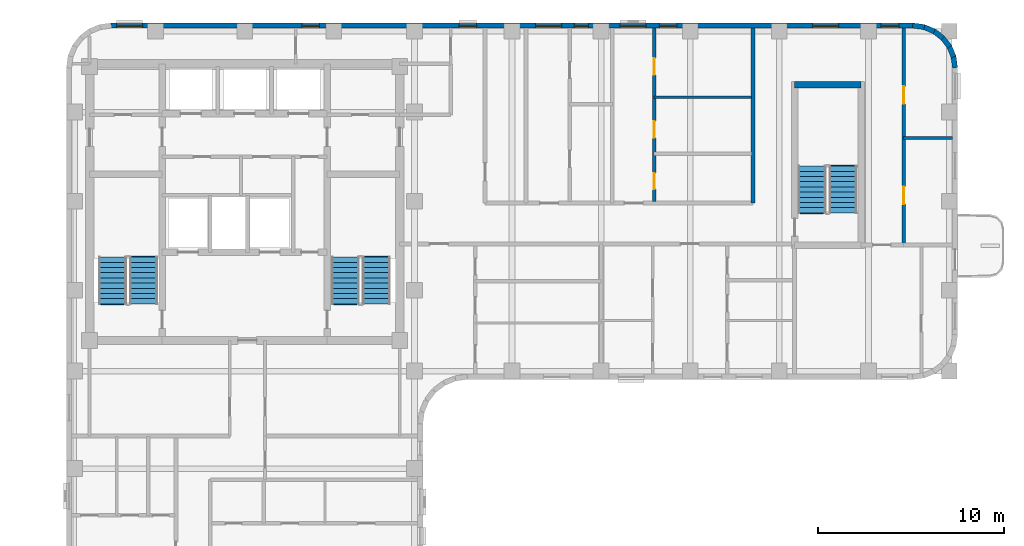
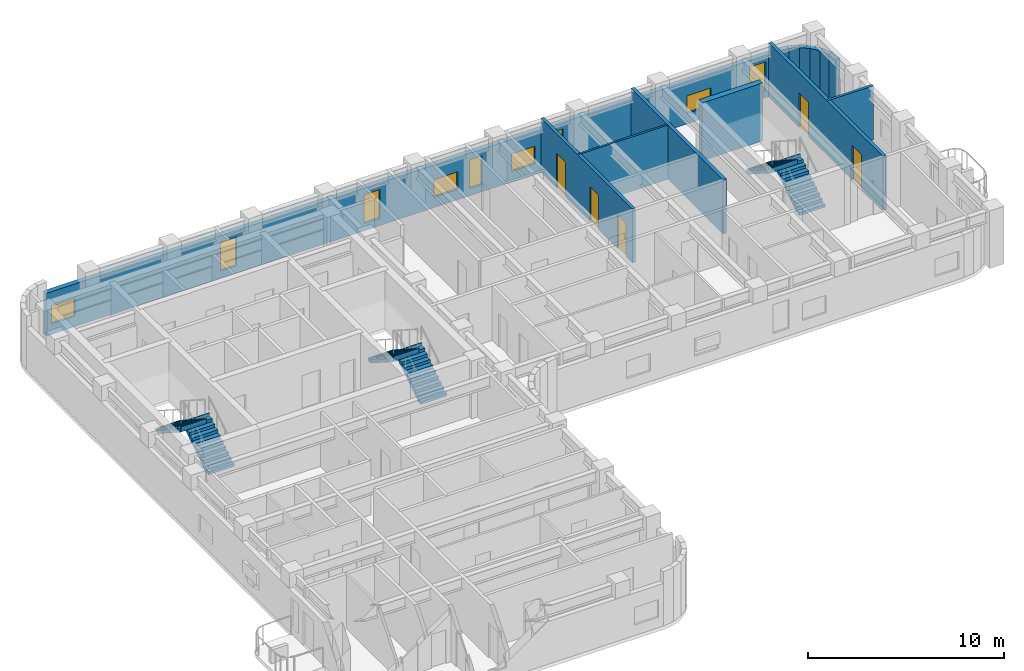
# One storey, part 7 of 10: 13 walls, 9 windows, 6 stair flights, 5 doors, 14 openings, 3 elements without a shape of their own.
"""IFC4 building model written with IfcOpenShell, lengths in metres."""

from ifc_helpers import new_model, si_unit, direction, frame, frame_2d, origin, place, context, subcontext, project, spatial, polyline, rectangle, outline, extrude, material, layer, layer_set, type_object, element, fill, aggregate, save


model = new_model("IFC4")

# Units and contexts
model_context = context("Model", 3, precision=1e-05, world=origin(), true_north=direction((0.0, 1.0)))
body_context = subcontext(model_context, "Body", "Model", "MODEL_VIEW")
ifc_project = project(units=[si_unit("LENGTHUNIT", "METRE"), si_unit("AREAUNIT", "SQUARE_METRE"), si_unit("VOLUMEUNIT", "CUBIC_METRE"), si_unit("PLANEANGLEUNIT", "RADIAN"), si_unit("MASSUNIT", "GRAM", prefix="KILO")], contexts=[model_context])

# Site, building, storey
site_placement = place(None, origin())
site = spatial("IfcSite", under=ifc_project, at=site_placement, CompositionType="ELEMENT")
building_placement = place(site_placement, origin())
building = spatial("IfcBuilding", under=site, at=building_placement, Name="Orvandelia Arch Residences", CompositionType="ELEMENT")
storey_placement = place(building_placement, frame((0.0, 0.0, 225.39990234375)))
storey = spatial("IfcBuildingStorey", under=building, at=storey_placement, Name="L59", CompositionType="ELEMENT", Elevation=225.39990234375)

# Walls
ifc_material_1 = material(Name="Concrete C50/60", Category="concrete")
ifc_layer_1 = layer(ifc_material_1, 0.35009765625, Name="Concrete C50/60", Category="concrete")
ifc_layer_set_1 = layer_set([ifc_layer_1], Name="Concrete C50/60")
wall_type_1 = type_object("IfcWallType", Name="WL-CORE-350", PredefinedType="SHEAR", material=ifc_layer_set_1)
wall_1_placement = place(storey_placement, frame((44.02001953125, 44.659912109375, 0.0), z_axis=(0.0, 0.0, 1.0), x_axis=(1.0, 0.0, 0.0)))
element("IfcWall", 1, at=wall_1_placement, inside=storey, type_object=wall_type_1, Name="East Stair Core Shear Wall L59-N", PredefinedType="SHEAR", context=body_context, shape_type="SweptSolid", body=[
    extrude(rectangle(XDim=3.580078125, YDim=0.35009765625, at=frame_2d((1.7900390625, 0.0))), origin(), (0.0, 0.0, 1.0), 3.60009765625),
])
ifc_material_2 = material(Name="Fire-Rated Corridor Partition")
ifc_layer_2 = layer(ifc_material_2, 0.199951171875, Name="Fire-Rated Corridor Partition")
ifc_layer_set_2 = layer_set([ifc_layer_2], Name="Fire-Rated Corridor Partition")
wall_type_2 = type_object("IfcWallType", Name="WL-CORR-200", PredefinedType="PARTITIONING", material=ifc_layer_set_2)
wall_2_placement = place(storey_placement, frame((41.780029296875, 38.300048828125, 0.0), z_axis=(0.0, 0.0, 1.0), x_axis=(0.0, 1.0, 0.0)))
element("IfcWall", 2, at=wall_2_placement, inside=storey, type_object=wall_type_2, Name="Interior Partition Wall WL-L59-ETV-W", PredefinedType="PARTITIONING", context=body_context, shape_type="SweptSolid", body=[
    extrude(rectangle(XDim=9.419921875, YDim=0.199951171875, at=frame_2d((4.7099609375, 0.0))), origin(), (0.0, 0.0, 1.0), 3.380126953125),
])

# Wall, openings, doors
wall_3_placement = place(storey_placement, frame((49.89990234375, 36.0400390625, 0.0), z_axis=(0.0, 0.0, 1.0), x_axis=(0.0, 1.0, 0.0)))
wall_3 = element("IfcWall", 3, at=wall_3_placement, inside=storey, type_object=wall_type_2, Name="Interior Partition Wall WL-L59-ETE-E", PredefinedType="PARTITIONING", context=body_context, shape_type="SweptSolid", body=[
    extrude(rectangle(XDim=11.679931640625, YDim=0.199951171875, at=frame_2d((5.83984375, 0.0))), origin(), (0.0, 0.0, 1.0), 3.380126953125),
])
opening_1_placement = place(wall_3_placement, frame((2.199951171875, 0.0, 0.0)))
opening_1 = element("IfcOpeningElement", 4, at=opening_1_placement, cuts=wall_3, Name="Opening D2", PredefinedType="OPENING", context=body_context, shape_type="SweptSolid", body=[
    extrude(rectangle(XDim=0.949951171875, YDim=2.14990234375, at=frame_2d((0.47509765625, 1.074951171875))), frame((0.0, 0.10986328125, 0.0), z_axis=(0.0, -1.0, 0.0), x_axis=(1.0, 0.0, 0.0)), (0.0, 0.0, 1.0), 0.219970703125),
])
opening_2_placement = place(wall_3_placement, frame((7.60009765625, 0.0, 0.0)))
opening_2 = element("IfcOpeningElement", 5, at=opening_2_placement, cuts=wall_3, Name="Opening D2", PredefinedType="OPENING", context=body_context, shape_type="SweptSolid", body=[
    extrude(rectangle(XDim=0.949951171875, YDim=2.14990234375, at=frame_2d((0.47509765625, 1.074951171875))), frame((0.0, 0.10986328125, 0.0), z_axis=(0.0, -1.0, 0.0), x_axis=(1.0, 0.0, 0.0)), (0.0, 0.0, 1.0), 0.219970703125),
])
ifc_material_3 = material(Name="Solid-Core Timber Interior Fire Door", Category="wood")
door_type_1 = type_object("IfcDoorType", Name="DR-APT-950", OperationType="NOTDEFINED", PredefinedType="DOOR", material=ifc_material_3)
door_1_placement = place(opening_1_placement, origin())
door_1 = element("IfcDoor", 6, at=door_1_placement, inside=storey, type_object=door_type_1, Name="DR-L59-EMTP1", OperationType="SINGLE_SWING_LEFT", OverallHeight=2.14990234375, OverallWidth=0.949951171875, PredefinedType="DOOR", context=body_context, shape_type="SweptSolid", body=[
    extrude(rectangle(XDim=0.949951171875, YDim=2.14990234375, at=frame_2d((0.47509765625, 1.074951171875))), frame((0.0, 0.02490234375, 0.0), z_axis=(0.0, -1.0, 0.0), x_axis=(1.0, 0.0, 0.0)), (0.0, 0.0, 1.0), 0.050048828125),
])
fill(opening_1, door_1)
door_2_placement = place(opening_2_placement, origin())
door_2 = element("IfcDoor", 7, at=door_2_placement, inside=storey, type_object=door_type_1, Name="DR-L59-EMTP2", OperationType="SINGLE_SWING_RIGHT", OverallHeight=2.14990234375, OverallWidth=0.949951171875, PredefinedType="DOOR", context=body_context, shape_type="SweptSolid", body=[
    extrude(rectangle(XDim=0.949951171875, YDim=2.14990234375, at=frame_2d((0.47509765625, 1.074951171875))), frame((0.0, 0.02490234375, 0.0), z_axis=(0.0, -1.0, 0.0), x_axis=(1.0, 0.0, 0.0)), (0.0, 0.0, 1.0), 0.050048828125),
])
fill(opening_2, door_2)

# Wall, openings, windows
ifc_material_4 = material(Name="Precast concrete C40/50", Category="concrete")
ifc_layer_3 = layer(ifc_material_4, 0.280029296875, Name="Precast concrete C40/50", Category="concrete")
ifc_layer_set_3 = layer_set([ifc_layer_3], Name="Precast concrete C40/50")
wall_type_3 = type_object("IfcWallType", Name="WL-EXT-STONE-280", PredefinedType="STANDARD", material=ifc_layer_set_3)
wall_4_placement = place(storey_placement, frame((7.199951171875, 47.860107421875, 0.0), z_axis=(0.0, 0.0, 1.0), x_axis=(1.0, 0.0, 0.0)))
wall_4 = element("IfcWall", 8, at=wall_4_placement, inside=storey, type_object=wall_type_3, Name="Coral-Limestone Precast Facade Wall L59-007", PredefinedType="STANDARD", context=body_context, shape_type="SweptSolid", body=[
    extrude(rectangle(XDim=43.199951171875, YDim=0.280029296875, at=frame_2d((21.60009765625, 0.0))), origin(), (0.0, 0.0, 1.0), 2.66015625),
])
opening_3_placement = place(wall_4_placement, frame((22.8701171875, 0.0, 0.64990234375)))
opening_3 = element("IfcOpeningElement", 9, at=opening_3_placement, cuts=wall_4, Name="Opening W10", PredefinedType="OPENING", context=body_context, shape_type="SweptSolid", body=[
    extrude(rectangle(XDim=1.39990234375, YDim=1.10009765625, at=frame_2d((0.699951171875, 0.550048828125))), frame((0.0, 0.14990234375, 0.0), z_axis=(0.0, -1.0, 0.0), x_axis=(1.0, 0.0, 0.0)), (0.0, 0.0, 1.0), 0.300048828125),
])
opening_4_placement = place(wall_4_placement, frame((29.532470703125, 0.0, 0.449951171875)))
opening_4 = element("IfcOpeningElement", 10, at=opening_4_placement, cuts=wall_4, Name="Opening W4", PredefinedType="OPENING", context=body_context, shape_type="SweptSolid", body=[
    extrude(rectangle(XDim=0.949951171875, YDim=1.800048828125, at=frame_2d((0.47509765625, 0.89990234375))), frame((0.0, 0.14990234375, 0.0), z_axis=(0.0, -1.0, 0.0), x_axis=(1.0, 0.0, 0.0)), (0.0, 0.0, 1.0), 0.300048828125),
])
opening_5_placement = place(wall_4_placement, frame((18.739990234375, 0.0, 0.449951171875)))
opening_5 = element("IfcOpeningElement", 11, at=opening_5_placement, cuts=wall_4, Name="Opening W4", PredefinedType="OPENING", context=body_context, shape_type="SweptSolid", body=[
    extrude(rectangle(XDim=0.949951171875, YDim=1.800048828125, at=frame_2d((0.47509765625, 0.89990234375))), frame((0.0, 0.14990234375, 0.0), z_axis=(0.0, -1.0, 0.0), x_axis=(1.0, 0.0, 0.0)), (0.0, 0.0, 1.0), 0.300048828125),
])
opening_6_placement = place(wall_4_placement, frame((41.487548828125, 0.0, 0.449951171875)))
opening_6 = element("IfcOpeningElement", 12, at=opening_6_placement, cuts=wall_4, Name="Opening W4", PredefinedType="OPENING", context=body_context, shape_type="SweptSolid", body=[
    extrude(rectangle(XDim=0.949951171875, YDim=1.800048828125, at=frame_2d((0.47509765625, 0.89990234375))), frame((0.0, 0.14990234375, 0.0), z_axis=(0.0, -1.0, 0.0), x_axis=(1.0, 0.0, 0.0)), (0.0, 0.0, 1.0), 0.300048828125),
])
opening_7_placement = place(wall_4_placement, frame((37.798583984375, 0.0, 0.64990234375)))
opening_7 = element("IfcOpeningElement", 13, at=opening_7_placement, cuts=wall_4, Name="Opening W10", PredefinedType="OPENING", context=body_context, shape_type="SweptSolid", body=[
    extrude(rectangle(XDim=1.39990234375, YDim=1.10009765625, at=frame_2d((0.699951171875, 0.550048828125))), frame((0.0, 0.14990234375, 0.0), z_axis=(0.0, -1.0, 0.0), x_axis=(1.0, 0.0, 0.0)), (0.0, 0.0, 1.0), 0.300048828125),
])
opening_8_placement = place(wall_4_placement, frame((0.3076171875, 0.0, 0.64990234375)))
opening_8 = element("IfcOpeningElement", 14, at=opening_8_placement, cuts=wall_4, Name="Opening W10", PredefinedType="OPENING", context=body_context, shape_type="SweptSolid", body=[
    extrude(rectangle(XDim=1.39990234375, YDim=1.10009765625, at=frame_2d((0.699951171875, 0.550048828125))), frame((0.0, 0.14990234375, 0.0), z_axis=(0.0, -1.0, 0.0), x_axis=(1.0, 0.0, 0.0)), (0.0, 0.0, 1.0), 0.300048828125),
])
opening_9_placement = place(wall_4_placement, frame((10.277587890625, 0.0, 0.449951171875)))
opening_9 = element("IfcOpeningElement", 15, at=opening_9_placement, cuts=wall_4, Name="Opening W4", PredefinedType="OPENING", context=body_context, shape_type="SweptSolid", body=[
    extrude(rectangle(XDim=0.949951171875, YDim=1.800048828125, at=frame_2d((0.47509765625, 0.89990234375))), frame((0.0, 0.14990234375, 0.0), z_axis=(0.0, -1.0, 0.0), x_axis=(1.0, 0.0, 0.0)), (0.0, 0.0, 1.0), 0.300048828125),
])
opening_10_placement = place(wall_4_placement, frame((24.95751953125, 0.0, 0.449951171875)))
opening_10 = element("IfcOpeningElement", 16, at=opening_10_placement, cuts=wall_4, Name="Opening W11", PredefinedType="OPENING", context=body_context, shape_type="SweptSolid", body=[
    extrude(rectangle(XDim=0.75, YDim=1.800048828125, at=frame_2d((0.375, 0.89990234375))), frame((0.0, 0.14990234375, 0.0), z_axis=(0.0, -1.0, 0.0), x_axis=(1.0, 0.0, 0.0)), (0.0, 0.0, 1.0), 0.300048828125),
])
opening_11_placement = place(wall_4_placement, frame((27.429931640625, 0.0, 0.64990234375)))
opening_11 = element("IfcOpeningElement", 17, at=opening_11_placement, cuts=wall_4, Name="Opening W10", PredefinedType="OPENING", context=body_context, shape_type="SweptSolid", body=[
    extrude(rectangle(XDim=1.39990234375, YDim=1.10009765625, at=frame_2d((0.699951171875, 0.550048828125))), frame((0.0, 0.14990234375, 0.0), z_axis=(0.0, -1.0, 0.0), x_axis=(1.0, 0.0, 0.0)), (0.0, 0.0, 1.0), 0.300048828125),
])
ifc_material_5 = material(Name="Tempered Low-E Insulated Glazing", Category="glass")
window_type_1 = type_object("IfcWindowType", Name="WIN-BED-0750x1800", PartitioningType="SINGLE_PANEL", PredefinedType="WINDOW", material=ifc_material_5)
window_1_placement = place(opening_10_placement, origin())
window_1 = element("IfcWindow", 18, at=window_1_placement, inside=storey, type_object=window_type_1, Name="Recessed Punched Window L59-008", OverallHeight=1.800048828125, OverallWidth=0.75, PartitioningType="SINGLE_PANEL", PredefinedType="WINDOW", context=body_context, shape_type="SweptSolid", body=[
    extrude(rectangle(XDim=0.75, YDim=1.800048828125, at=frame_2d((0.375, 0.89990234375))), frame((0.0, 0.030029296875, 0.0), z_axis=(0.0, -1.0, 0.0), x_axis=(1.0, 0.0, 0.0)), (0.0, 0.0, 1.0), 0.06005859375),
])
fill(opening_10, window_1)
window_type_2 = type_object("IfcWindowType", Name="WIN-CLR-1400x1100", PartitioningType="SINGLE_PANEL", PredefinedType="WINDOW", material=ifc_material_5)
window_2_placement = place(opening_3_placement, origin())
window_2 = element("IfcWindow", 19, at=window_2_placement, inside=storey, type_object=window_type_2, Name="Recessed Punched Window L59-001", OverallHeight=1.10009765625, OverallWidth=1.39990234375, PartitioningType="SINGLE_PANEL", PredefinedType="WINDOW", context=body_context, shape_type="SweptSolid", body=[
    extrude(rectangle(XDim=1.39990234375, YDim=1.10009765625, at=frame_2d((0.699951171875, 0.550048828125))), frame((0.0, 0.030029296875, 0.0), z_axis=(0.0, -1.0, 0.0), x_axis=(1.0, 0.0, 0.0)), (0.0, 0.0, 1.0), 0.06005859375),
])
fill(opening_3, window_2)
window_3_placement = place(opening_7_placement, origin())
window_3 = element("IfcWindow", 20, at=window_3_placement, inside=storey, type_object=window_type_2, Name="Recessed Punched Window L59-005", OverallHeight=1.10009765625, OverallWidth=1.39990234375, PartitioningType="SINGLE_PANEL", PredefinedType="WINDOW", context=body_context, shape_type="SweptSolid", body=[
    extrude(rectangle(XDim=1.39990234375, YDim=1.10009765625, at=frame_2d((0.699951171875, 0.550048828125))), frame((0.0, 0.030029296875, 0.0), z_axis=(0.0, -1.0, 0.0), x_axis=(1.0, 0.0, 0.0)), (0.0, 0.0, 1.0), 0.06005859375),
])
fill(opening_7, window_3)
window_4_placement = place(opening_8_placement, origin())
window_4 = element("IfcWindow", 21, at=window_4_placement, inside=storey, type_object=window_type_2, Name="Recessed Punched Window L59-006", OverallHeight=1.10009765625, OverallWidth=1.39990234375, PartitioningType="SINGLE_PANEL", PredefinedType="WINDOW", context=body_context, shape_type="SweptSolid", body=[
    extrude(rectangle(XDim=1.39990234375, YDim=1.10009765625, at=frame_2d((0.699951171875, 0.550048828125))), frame((0.0, 0.030029296875, 0.0), z_axis=(0.0, -1.0, 0.0), x_axis=(1.0, 0.0, 0.0)), (0.0, 0.0, 1.0), 0.06005859375),
])
fill(opening_8, window_4)
window_5_placement = place(opening_11_placement, origin())
window_5 = element("IfcWindow", 22, at=window_5_placement, inside=storey, type_object=window_type_2, Name="Recessed Punched Window L59-009", OverallHeight=1.10009765625, OverallWidth=1.39990234375, PartitioningType="SINGLE_PANEL", PredefinedType="WINDOW", context=body_context, shape_type="SweptSolid", body=[
    extrude(rectangle(XDim=1.39990234375, YDim=1.10009765625, at=frame_2d((0.699951171875, 0.550048828125))), frame((0.0, 0.030029296875, 0.0), z_axis=(0.0, -1.0, 0.0), x_axis=(1.0, 0.0, 0.0)), (0.0, 0.0, 1.0), 0.06005859375),
])
fill(opening_11, window_5)
window_type_3 = type_object("IfcWindowType", Name="WIN-RES-0950x1800", PartitioningType="SINGLE_PANEL", PredefinedType="WINDOW", material=ifc_material_5)
window_6_placement = place(opening_4_placement, origin())
window_6 = element("IfcWindow", 23, at=window_6_placement, inside=storey, type_object=window_type_3, Name="Recessed Punched Window L59-002", OverallHeight=1.800048828125, OverallWidth=0.949951171875, PartitioningType="SINGLE_PANEL", PredefinedType="WINDOW", context=body_context, shape_type="SweptSolid", body=[
    extrude(rectangle(XDim=0.949951171875, YDim=1.800048828125, at=frame_2d((0.47509765625, 0.89990234375))), frame((0.0, 0.030029296875, 0.0), z_axis=(0.0, -1.0, 0.0), x_axis=(1.0, 0.0, 0.0)), (0.0, 0.0, 1.0), 0.06005859375),
])
fill(opening_4, window_6)
window_7_placement = place(opening_5_placement, origin())
window_7 = element("IfcWindow", 24, at=window_7_placement, inside=storey, type_object=window_type_3, Name="Recessed Punched Window L59-003", OverallHeight=1.800048828125, OverallWidth=0.949951171875, PartitioningType="SINGLE_PANEL", PredefinedType="WINDOW", context=body_context, shape_type="SweptSolid", body=[
    extrude(rectangle(XDim=0.949951171875, YDim=1.800048828125, at=frame_2d((0.47509765625, 0.89990234375))), frame((0.0, 0.030029296875, 0.0), z_axis=(0.0, -1.0, 0.0), x_axis=(1.0, 0.0, 0.0)), (0.0, 0.0, 1.0), 0.06005859375),
])
fill(opening_5, window_7)
window_8_placement = place(opening_6_placement, origin())
window_8 = element("IfcWindow", 25, at=window_8_placement, inside=storey, type_object=window_type_3, Name="Recessed Punched Window L59-004", OverallHeight=1.800048828125, OverallWidth=0.949951171875, PartitioningType="SINGLE_PANEL", PredefinedType="WINDOW", context=body_context, shape_type="SweptSolid", body=[
    extrude(rectangle(XDim=0.949951171875, YDim=1.800048828125, at=frame_2d((0.47509765625, 0.89990234375))), frame((0.0, 0.030029296875, 0.0), z_axis=(0.0, -1.0, 0.0), x_axis=(1.0, 0.0, 0.0)), (0.0, 0.0, 1.0), 0.06005859375),
])
fill(opening_6, window_8)
window_9_placement = place(opening_9_placement, origin())
window_9 = element("IfcWindow", 26, at=window_9_placement, inside=storey, type_object=window_type_3, Name="Recessed Punched Window L59-007", OverallHeight=1.800048828125, OverallWidth=0.949951171875, PartitioningType="SINGLE_PANEL", PredefinedType="WINDOW", context=body_context, shape_type="SweptSolid", body=[
    extrude(rectangle(XDim=0.949951171875, YDim=1.800048828125, at=frame_2d((0.47509765625, 0.89990234375))), frame((0.0, 0.030029296875, 0.0), z_axis=(0.0, -1.0, 0.0), x_axis=(1.0, 0.0, 0.0)), (0.0, 0.0, 1.0), 0.06005859375),
])
fill(opening_9, window_9)

# Walls
wall_5_placement = place(storey_placement, frame((50.381591796875, 47.861083984375, 0.0), z_axis=(0.0, 0.0, 1.0), x_axis=(0.991447664465, -0.130504898859, 0.0)))
element("IfcWall", 27, at=wall_5_placement, inside=storey, type_object=wall_type_3, Name="Coral-Limestone Precast Facade Wall L59-008", PredefinedType="STANDARD", context=body_context, shape_type="SweptSolid", body=[
    extrude(rectangle(XDim=0.626708984375, YDim=0.280029296875, at=frame_2d((0.3134765625, 0.0))), origin(), (0.0, 0.0, 1.0), 2.66015625),
])
for number, where, z_axis, x_axis, name in (
    (28, (50.967529296875, 47.788818359375, 0.0), (0.0, 0.0, 1.0), (0.924031075431, -0.382317370307, 0.0), "Coral-Limestone Precast Facade Wall L59-009"),
    (29, (51.514892578125, 47.5673828125, 0.0), (0.0, 0.0, 1.0), (0.793405610854, -0.608693302629, 0.0), "Coral-Limestone Precast Facade Wall L59-010"),
    (30, (51.986083984375, 47.2119140625, 0.0), (0.0, 0.0, 1.0), (0.608693302629, -0.793405610854, 0.0), "Coral-Limestone Precast Facade Wall L59-011"),
    (31, (52.34912109375, 46.746337890625, 0.0), (0.0, 0.0, 1.0), (0.382650053678, -0.92389335771, 0.0), "Coral-Limestone Precast Facade Wall L59-012"),
    (32, (52.579345703125, 46.202880859375, 0.0), (0.0, 0.0, 1.0), (0.130555323746, -0.9914410257, 0.0), "Coral-Limestone Precast Facade Wall L59-013"),
):
    element("IfcWall", number, at=place(storey_placement, frame(where, z_axis=z_axis, x_axis=x_axis)), inside=storey, type_object=wall_type_3, Name=name, PredefinedType="STANDARD", context=body_context, shape_type="SweptSolid", body=[
        extrude(rectangle(XDim=0.62646484375, YDim=0.280029296875, at=frame_2d((0.313232421875, 0.0))), origin(), (0.0, 0.0, 1.0), 2.66015625),
    ])
ifc_material_6 = material(Name="Lightweight Gypsum Stud Partition")
ifc_layer_4 = layer(ifc_material_6, 0.1201171875, Name="Lightweight Gypsum Stud Partition")
ifc_layer_set_4 = layer_set([ifc_layer_4], Name="Lightweight Gypsum Stud Partition")
wall_type_4 = type_object("IfcWallType", Name="WL-PART-120", PredefinedType="PARTITIONING", material=ifc_layer_set_4)
wall_6_placement = place(storey_placement, frame((36.4599609375, 43.99609375, 0.0), z_axis=(0.0, 0.0, 1.0), x_axis=(1.0, 0.0, 0.0)))
element("IfcWall", 33, at=wall_6_placement, inside=storey, type_object=wall_type_4, Name="Interior Partition Wall WL-L59-U08-H2", PredefinedType="PARTITIONING", context=body_context, shape_type="SweptSolid", body=[
    extrude(rectangle(XDim=5.239990234375, YDim=0.1201171875, at=frame_2d((2.6201171875, 0.0))), origin(), (0.0, 0.0, 1.0), 3.380126953125),
])
ifc_material_7 = material(Name="Acoustic Gypsum Stud Partition")
ifc_layer_5 = layer(ifc_material_7, 0.14990234375, Name="Acoustic Gypsum Stud Partition")
ifc_layer_set_5 = layer_set([ifc_layer_5], Name="Acoustic Gypsum Stud Partition")
wall_type_5 = type_object("IfcWallType", Name="WL-PART-150", PredefinedType="PARTITIONING", material=ifc_layer_set_5)
wall_7_placement = place(storey_placement, frame((49.89990234375, 41.800048828125, 0.0), z_axis=(0.0, 0.0, 1.0), x_axis=(1.0, 0.0, 0.0)))
element("IfcWall", 34, at=wall_7_placement, inside=storey, type_object=wall_type_5, Name="Interior Partition Wall WL-L59-EMTIP-M", PredefinedType="PARTITIONING", context=body_context, shape_type="SweptSolid", body=[
    extrude(rectangle(XDim=2.6201171875, YDim=0.14990234375, at=frame_2d((1.31005859375, 0.0))), origin(), (0.0, 0.0, 1.0), 3.380126953125),
])

# Wall, openings, doors
ifc_material_8 = material(Name="Moisture-Resistant Plumbing Wall")
ifc_layer_6 = layer(ifc_material_8, 0.179931640625, Name="Moisture-Resistant Plumbing Wall")
ifc_layer_set_6 = layer_set([ifc_layer_6], Name="Moisture-Resistant Plumbing Wall")
wall_type_6 = type_object("IfcWallType", Name="WL-WET-180", PredefinedType="PLUMBINGWALL", material=ifc_layer_set_6)
wall_8_placement = place(storey_placement, frame((36.4599609375, 38.3798828125, 0.0), z_axis=(0.0, 0.0, 1.0), x_axis=(0.0, 1.0, 0.0)))
wall_8 = element("IfcWall", 35, at=wall_8_placement, inside=storey, type_object=wall_type_6, Name="Interior Partition Wall WL-L59-U08-VT", PredefinedType="PLUMBINGWALL", context=body_context, shape_type="SweptSolid", body=[
    extrude(rectangle(XDim=9.340087890625, YDim=0.179931640625, at=frame_2d((4.669921875, 0.0))), origin(), (0.0, 0.0, 1.0), 3.380126953125),
])
opening_12_placement = place(wall_8_placement, frame((0.66748046875, 0.0, 0.0)))
opening_12 = element("IfcOpeningElement", 36, at=opening_12_placement, cuts=wall_8, Name="Opening D4", PredefinedType="OPENING", context=body_context, shape_type="SweptSolid", body=[
    extrude(rectangle(XDim=0.860107421875, YDim=2.10009765625, at=frame_2d((0.43017578125, 1.050048828125))), frame((0.0, 0.10009765625, 0.0), z_axis=(0.0, -1.0, 0.0), x_axis=(1.0, 0.0, 0.0)), (0.0, 0.0, 1.0), 0.199951171875),
])
opening_13_placement = place(wall_8_placement, frame((3.430419921875, 0.0, 0.0)))
opening_13 = element("IfcOpeningElement", 37, at=opening_13_placement, cuts=wall_8, Name="Opening D3", PredefinedType="OPENING", context=body_context, shape_type="SweptSolid", body=[
    extrude(rectangle(XDim=0.89990234375, YDim=2.14990234375, at=frame_2d((0.449951171875, 1.074951171875))), frame((0.0, 0.10009765625, 0.0), z_axis=(0.0, -1.0, 0.0), x_axis=(1.0, 0.0, 0.0)), (0.0, 0.0, 1.0), 0.199951171875),
])
opening_14_placement = place(wall_8_placement, frame((6.828369140625, 0.0, 0.0)))
opening_14 = element("IfcOpeningElement", 38, at=opening_14_placement, cuts=wall_8, Name="Opening D3", PredefinedType="OPENING", context=body_context, shape_type="SweptSolid", body=[
    extrude(rectangle(XDim=0.89990234375, YDim=2.14990234375, at=frame_2d((0.449951171875, 1.074951171875))), frame((0.0, 0.10009765625, 0.0), z_axis=(0.0, -1.0, 0.0), x_axis=(1.0, 0.0, 0.0)), (0.0, 0.0, 1.0), 0.199951171875),
])
ifc_material_9 = material(Name="Engineered Timber Flush Door", Category="wood")
door_type_2 = type_object("IfcDoorType", Name="DR-INT-900", OperationType="NOTDEFINED", PredefinedType="DOOR", material=ifc_material_9)
door_3_placement = place(opening_13_placement, origin())
door_3 = element("IfcDoor", 39, at=door_3_placement, inside=storey, type_object=door_type_2, Name="DR-L59-U08-KIT", OperationType="SINGLE_SWING_RIGHT", OverallHeight=2.14990234375, OverallWidth=0.89990234375, PredefinedType="DOOR", context=body_context, shape_type="SweptSolid", body=[
    extrude(rectangle(XDim=0.89990234375, YDim=2.14990234375, at=frame_2d((0.449951171875, 1.074951171875))), frame((0.0, 0.02490234375, 0.0), z_axis=(0.0, -1.0, 0.0), x_axis=(1.0, 0.0, 0.0)), (0.0, 0.0, 1.0), 0.050048828125),
])
fill(opening_13, door_3)
door_4_placement = place(opening_14_placement, origin())
door_4 = element("IfcDoor", 40, at=door_4_placement, inside=storey, type_object=door_type_2, Name="DR-L59-U08-BD1", OperationType="SINGLE_SWING_LEFT", OverallHeight=2.14990234375, OverallWidth=0.89990234375, PredefinedType="DOOR", context=body_context, shape_type="SweptSolid", body=[
    extrude(rectangle(XDim=0.89990234375, YDim=2.14990234375, at=frame_2d((0.449951171875, 1.074951171875))), frame((0.0, 0.02490234375, 0.0), z_axis=(0.0, -1.0, 0.0), x_axis=(1.0, 0.0, 0.0)), (0.0, 0.0, 1.0), 0.050048828125),
])
fill(opening_14, door_4)
ifc_material_10 = material(Name="Moisture-Sealed Timber Bathroom Door", Category="wood")
door_type_3 = type_object("IfcDoorType", Name="DR-WET-900", OperationType="NOTDEFINED", PredefinedType="DOOR", material=ifc_material_10)
door_5_placement = place(opening_12_placement, origin())
door_5 = element("IfcDoor", 41, at=door_5_placement, inside=storey, type_object=door_type_3, Name="DR-L59-U08-BTH", OperationType="SINGLE_SWING_LEFT", OverallHeight=2.10009765625, OverallWidth=0.860107421875, PredefinedType="DOOR", context=body_context, shape_type="SweptSolid", body=[
    extrude(rectangle(XDim=0.860107421875, YDim=2.10009765625, at=frame_2d((0.43017578125, 1.050048828125))), frame((0.0, 0.02490234375, 0.0), z_axis=(0.0, -1.0, 0.0), x_axis=(1.0, 0.0, 0.0)), (0.0, 0.0, 1.0), 0.050048828125),
])
fill(opening_12, door_5)

# Stair, stair flights
ifc_material_11 = material(Name="Concrete C40/50", Category="concrete")
stair_type = type_object("IfcStairType", Name="STAIR-RC-DOGLEG", PredefinedType="HALF_TURN_STAIR", material=ifc_material_11)
stair_1_placement = place(storey_placement, origin())
stair_1 = element("IfcStair", 42, at=stair_1_placement, inside=storey, type_object=stair_type, Name="L59 Protected Exit Stair ST-1", PredefinedType="HALF_TURN_STAIR")
stair_flight_type = type_object("IfcStairFlightType", Name="STFLT-RC-1520", PredefinedType="STRAIGHT", material=ifc_material_11)
stair_flight_1_placement = place(storey_placement, frame((8.9599609375, 32.8701171875, 0.0), z_axis=(0.0, 0.0, 1.0), x_axis=(0.0, 1.0, 0.0)))
stair_flight_1 = element("IfcStairFlight", 43, at=stair_flight_1_placement, type_object=stair_flight_type, Name="ST-1 flight 1", NumberOfRisers=10, NumberOfTreads=9, PredefinedType="STRAIGHT", RiserHeight=0.18, TreadLength=0.28, context=body_context, shape_type="SweptSolid", body=[
    extrude(outline(polyline([(0.0, 0.0), (0.0, 0.179931640625), (0.280029296875, 0.179931640625), (0.280029296875, 0.360107421875), (0.56005859375, 0.360107421875), (0.56005859375, 0.5400390625), (0.840087890625, 0.5400390625), (0.840087890625, 0.719970703125), (1.1201171875, 0.719970703125), (1.1201171875, 0.89990234375), (1.39990234375, 0.89990234375), (1.39990234375, 1.080078125), (1.679931640625, 1.080078125), (1.679931640625, 1.260009765625), (1.9599609375, 1.260009765625), (1.9599609375, 1.43994140625), (2.239990234375, 1.43994140625), (2.239990234375, 1.6201171875), (2.52001953125, 1.6201171875), (2.52001953125, 1.800048828125), (2.580078125, 1.800048828125), (2.580078125, 1.6201171875), (2.52001953125, 1.44189453125), (0.277099609375, 0.0), (0.0, 0.0)])), frame((0.0, 0.760009765625, 0.0), z_axis=(0.0, -1.0, 0.0), x_axis=(1.0, 0.0, 0.0)), (0.0, 0.0, 1.0), 1.52001953125),
])
stair_flight_2_placement = place(storey_placement, frame((7.2900390625, 35.389892578125, 1.800048828125), z_axis=(0.0, 0.0, 1.0), x_axis=(0.0, -1.0, 0.0)))
stair_flight_2 = element("IfcStairFlight", 44, at=stair_flight_2_placement, type_object=stair_flight_type, Name="ST-1 flight 2", NumberOfRisers=10, NumberOfTreads=9, PredefinedType="STRAIGHT", RiserHeight=0.18, TreadLength=0.28, context=body_context, shape_type="SweptSolid", body=[
    extrude(outline(polyline([(0.0, 0.0), (0.0, 0.179931640625), (0.280029296875, 0.179931640625), (0.280029296875, 0.360107421875), (0.56005859375, 0.360107421875), (0.56005859375, 0.5400390625), (0.840087890625, 0.5400390625), (0.840087890625, 0.719970703125), (1.1201171875, 0.719970703125), (1.1201171875, 0.89990234375), (1.39990234375, 0.89990234375), (1.39990234375, 1.080078125), (1.679931640625, 1.080078125), (1.679931640625, 1.260009765625), (1.9599609375, 1.260009765625), (1.9599609375, 1.43994140625), (2.239990234375, 1.43994140625), (2.239990234375, 1.6201171875), (2.52001953125, 1.6201171875), (2.52001953125, 1.800048828125), (2.580078125, 1.800048828125), (2.580078125, 1.6201171875), (2.52001953125, 1.44189453125), (0.277099609375, 0.0), (0.0, 0.0)])), frame((0.0, 0.760009765625, 0.0), z_axis=(0.0, -1.0, 0.0), x_axis=(1.0, 0.0, 0.0)), (0.0, 0.0, 1.0), 1.52001953125),
])
aggregate(stair_1, [stair_flight_1, stair_flight_2])

stair_2_placement = place(storey_placement, origin())
stair_2 = element("IfcStair", 45, at=stair_2_placement, inside=storey, type_object=stair_type, Name="L59 Protected Exit Stair ST-2", PredefinedType="HALF_TURN_STAIR")
stair_flight_3_placement = place(storey_placement, frame((21.489990234375, 32.8701171875, 0.0), z_axis=(0.0, 0.0, 1.0), x_axis=(0.0, 1.0, 0.0)))
stair_flight_3 = element("IfcStairFlight", 46, at=stair_flight_3_placement, type_object=stair_flight_type, Name="ST-2 flight 1", NumberOfRisers=10, NumberOfTreads=9, PredefinedType="STRAIGHT", RiserHeight=0.18, TreadLength=0.28, context=body_context, shape_type="SweptSolid", body=[
    extrude(outline(polyline([(0.0, 0.0), (0.0, 0.179931640625), (0.280029296875, 0.179931640625), (0.280029296875, 0.360107421875), (0.56005859375, 0.360107421875), (0.56005859375, 0.5400390625), (0.840087890625, 0.5400390625), (0.840087890625, 0.719970703125), (1.1201171875, 0.719970703125), (1.1201171875, 0.89990234375), (1.39990234375, 0.89990234375), (1.39990234375, 1.080078125), (1.679931640625, 1.080078125), (1.679931640625, 1.260009765625), (1.9599609375, 1.260009765625), (1.9599609375, 1.43994140625), (2.239990234375, 1.43994140625), (2.239990234375, 1.6201171875), (2.52001953125, 1.6201171875), (2.52001953125, 1.800048828125), (2.580078125, 1.800048828125), (2.580078125, 1.6201171875), (2.52001953125, 1.44189453125), (0.277099609375, 0.0), (0.0, 0.0)])), frame((0.0, 0.760009765625, 0.0), z_axis=(0.0, -1.0, 0.0), x_axis=(1.0, 0.0, 0.0)), (0.0, 0.0, 1.0), 1.52001953125),
])
stair_flight_4_placement = place(storey_placement, frame((19.820068359375, 35.389892578125, 1.800048828125), z_axis=(0.0, 0.0, 1.0), x_axis=(0.0, -1.0, 0.0)))
stair_flight_4 = element("IfcStairFlight", 47, at=stair_flight_4_placement, type_object=stair_flight_type, Name="ST-2 flight 2", NumberOfRisers=10, NumberOfTreads=9, PredefinedType="STRAIGHT", RiserHeight=0.18, TreadLength=0.28, context=body_context, shape_type="SweptSolid", body=[
    extrude(outline(polyline([(0.0, 0.0), (0.0, 0.179931640625), (0.280029296875, 0.179931640625), (0.280029296875, 0.360107421875), (0.56005859375, 0.360107421875), (0.56005859375, 0.5400390625), (0.840087890625, 0.5400390625), (0.840087890625, 0.719970703125), (1.1201171875, 0.719970703125), (1.1201171875, 0.89990234375), (1.39990234375, 0.89990234375), (1.39990234375, 1.080078125), (1.679931640625, 1.080078125), (1.679931640625, 1.260009765625), (1.9599609375, 1.260009765625), (1.9599609375, 1.43994140625), (2.239990234375, 1.43994140625), (2.239990234375, 1.6201171875), (2.52001953125, 1.6201171875), (2.52001953125, 1.800048828125), (2.580078125, 1.800048828125), (2.580078125, 1.6201171875), (2.52001953125, 1.44189453125), (0.277099609375, 0.0), (0.0, 0.0)])), frame((0.0, 0.760009765625, 0.0), z_axis=(0.0, -1.0, 0.0), x_axis=(1.0, 0.0, 0.0)), (0.0, 0.0, 1.0), 1.52001953125),
])
aggregate(stair_2, [stair_flight_3, stair_flight_4])

stair_3_placement = place(storey_placement, origin())
stair_3 = element("IfcStair", 48, at=stair_3_placement, inside=storey, type_object=stair_type, Name="L59 East Wing Exit Stair ST-3", PredefinedType="HALF_TURN_STAIR")
stair_flight_5_placement = place(storey_placement, frame((46.639892578125, 37.77001953125, 0.0), z_axis=(0.0, 0.0, 1.0), x_axis=(0.0, 1.0, 0.0)))
stair_flight_5 = element("IfcStairFlight", 49, at=stair_flight_5_placement, type_object=stair_flight_type, Name="ST-3 flight 1", NumberOfRisers=10, NumberOfTreads=9, PredefinedType="STRAIGHT", RiserHeight=0.18, TreadLength=0.28, context=body_context, shape_type="SweptSolid", body=[
    extrude(outline(polyline([(0.0, 0.0), (0.0, 0.179931640625), (0.280029296875, 0.179931640625), (0.280029296875, 0.360107421875), (0.56005859375, 0.360107421875), (0.56005859375, 0.5400390625), (0.840087890625, 0.5400390625), (0.840087890625, 0.719970703125), (1.1201171875, 0.719970703125), (1.1201171875, 0.89990234375), (1.39990234375, 0.89990234375), (1.39990234375, 1.080078125), (1.679931640625, 1.080078125), (1.679931640625, 1.260009765625), (1.9599609375, 1.260009765625), (1.9599609375, 1.43994140625), (2.239990234375, 1.43994140625), (2.239990234375, 1.6201171875), (2.52001953125, 1.6201171875), (2.52001953125, 1.800048828125), (2.580078125, 1.800048828125), (2.580078125, 1.6201171875), (2.52001953125, 1.44189453125), (0.277099609375, 0.0), (0.0, 0.0)])), frame((0.0, 0.760009765625, 0.0), z_axis=(0.0, -1.0, 0.0), x_axis=(1.0, 0.0, 0.0)), (0.0, 0.0, 1.0), 1.52001953125),
])
stair_flight_6_placement = place(storey_placement, frame((44.969970703125, 40.2900390625, 1.800048828125), z_axis=(0.0, 0.0, 1.0), x_axis=(0.0, -1.0, 0.0)))
stair_flight_6 = element("IfcStairFlight", 50, at=stair_flight_6_placement, type_object=stair_flight_type, Name="ST-3 flight 2", NumberOfRisers=10, NumberOfTreads=9, PredefinedType="STRAIGHT", RiserHeight=0.18, TreadLength=0.28, context=body_context, shape_type="SweptSolid", body=[
    extrude(outline(polyline([(0.0, 0.0), (0.0, 0.179931640625), (0.280029296875, 0.179931640625), (0.280029296875, 0.360107421875), (0.56005859375, 0.360107421875), (0.56005859375, 0.5400390625), (0.840087890625, 0.5400390625), (0.840087890625, 0.719970703125), (1.1201171875, 0.719970703125), (1.1201171875, 0.89990234375), (1.39990234375, 0.89990234375), (1.39990234375, 1.080078125), (1.679931640625, 1.080078125), (1.679931640625, 1.260009765625), (1.9599609375, 1.260009765625), (1.9599609375, 1.43994140625), (2.239990234375, 1.43994140625), (2.239990234375, 1.6201171875), (2.52001953125, 1.6201171875), (2.52001953125, 1.800048828125), (2.580078125, 1.800048828125), (2.580078125, 1.6201171875), (2.52001953125, 1.44189453125), (0.277099609375, 0.0), (0.0, 0.0)])), frame((0.0, 0.760009765625, 0.0), z_axis=(0.0, -1.0, 0.0), x_axis=(1.0, 0.0, 0.0)), (0.0, 0.0, 1.0), 1.52001953125),
])
aggregate(stair_3, [stair_flight_5, stair_flight_6])

save(model, "model.ifc")
